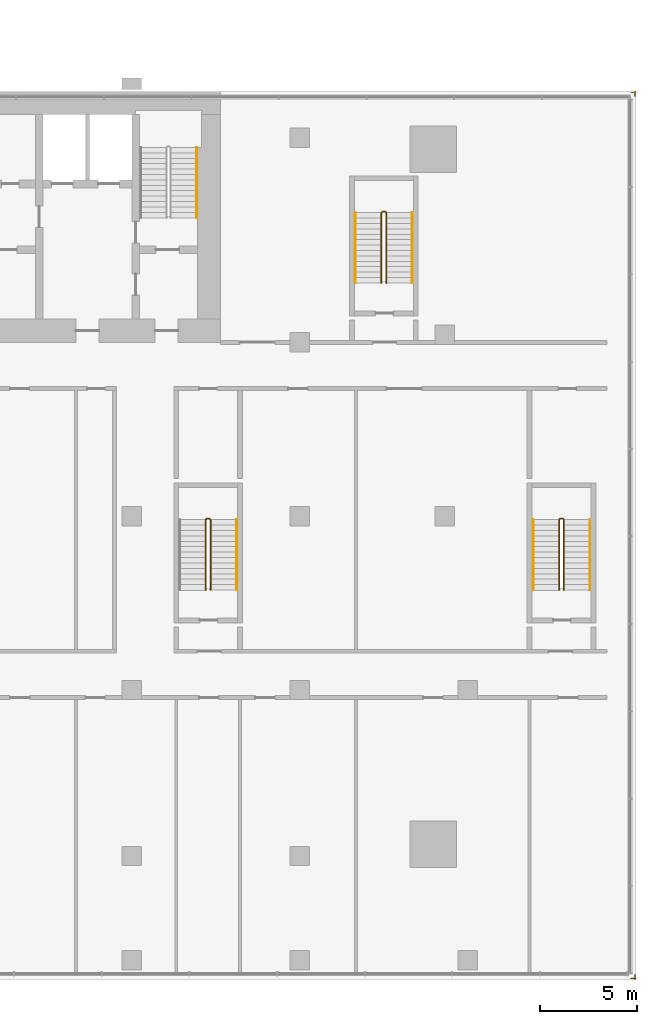
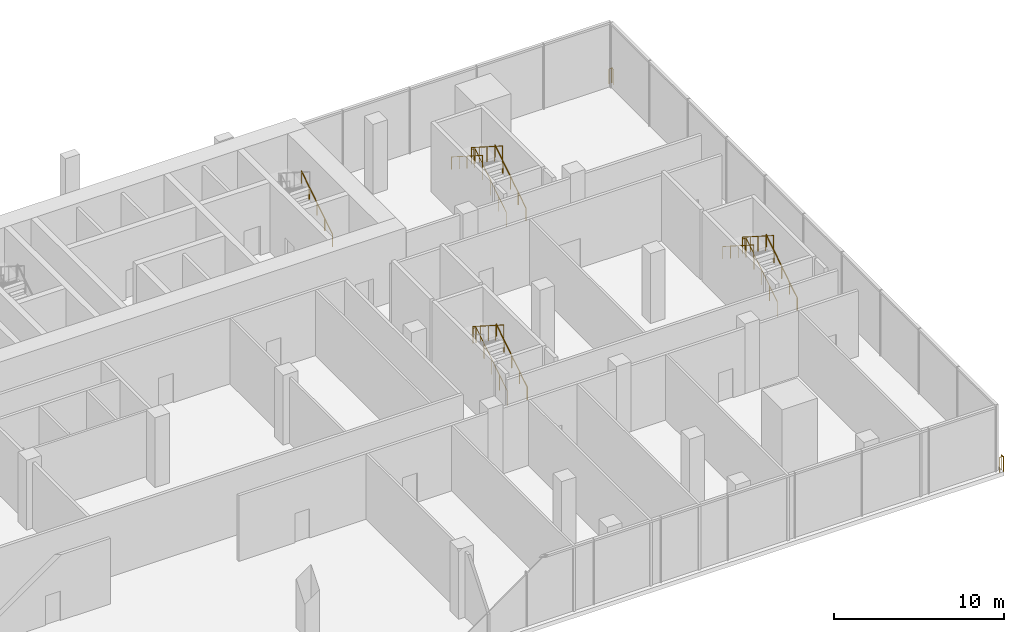
# One storey, part 20 of 20: 11 railings.
"""IFC4 building model written with IfcOpenShell, lengths in metres."""

from ifc_helpers import new_model, si_unit, direction, frame, origin, origin_2d, place, context, subcontext, project, spatial, circle, extrude, material, type_object, element, save


model = new_model("IFC4")

# Units and contexts
model_context = context("Model", 3, precision=1e-05, world=origin(), true_north=direction((0.0, 1.0)))
body_context = subcontext(model_context, "Body", "Model", "MODEL_VIEW")
ifc_project = project(units=[si_unit("LENGTHUNIT", "METRE"), si_unit("AREAUNIT", "SQUARE_METRE"), si_unit("VOLUMEUNIT", "CUBIC_METRE"), si_unit("PLANEANGLEUNIT", "RADIAN"), si_unit("MASSUNIT", "GRAM", prefix="KILO")], contexts=[model_context])

# Site, building, storey
site_placement = place(None, origin())
site = spatial("IfcSite", under=ifc_project, at=site_placement, CompositionType="ELEMENT")
building_placement = place(site_placement, origin())
building = spatial("IfcBuilding", under=site, at=building_placement, Name="Bicima Exchange Tower", CompositionType="ELEMENT")
storey_placement = place(building_placement, frame((0.0, 0.0, 25.0)))
storey = spatial("IfcBuildingStorey", under=building, at=storey_placement, Name="L04", CompositionType="ELEMENT", Elevation=25.0)

# Railings
ifc_material_1 = material(Name="Stainless steel and bonded safety glass", Category="steel")
railing_type_1 = type_object("IfcRailingType", Name="Edge guard 1100", PredefinedType="GUARDRAIL", material=ifc_material_1)
railing_1_placement = place(storey_placement, frame((43.25, -0.050048828125, 0.0)))
element("IfcRailing", 1, at=railing_1_placement, inside=storey, type_object=railing_type_1, Name="Edge guard L04 14", PredefinedType="GUARDRAIL", context=body_context, shape_type="SweptSolid", body=[
    extrude(circle(Radius=0.02392578125, at=origin_2d()), frame((0.0, 0.0, 1.076171875), z_axis=(1.0, 0.0, 0.0), x_axis=(0.0, 1.0, 0.0)), (0.0, 0.0, 1.0), 0.25),
    extrude(circle(Radius=0.02392578125, at=origin_2d()), frame((0.25, 0.0, 1.076171875), z_axis=(-0.707106781187, 0.707106781187, 0.0), x_axis=(-0.707106781187, -0.707106781187, 0.0)), (0.0, 0.0, 1.0), 0.07080078125),
    extrude(circle(Radius=0.02392578125, at=origin_2d()), frame((0.199951171875, 0.050048828125, 1.076171875), z_axis=(0.0, -1.0, 0.0), x_axis=(1.0, 0.0, 0.0)), (0.0, 0.0, 1.0), 0.25),
    extrude(circle(Radius=0.02099609375, at=origin_2d()), origin(), (0.0, 0.0, 1.0), 1.052001953125),
    extrude(circle(Radius=0.02099609375, at=origin_2d()), frame((0.25, 0.0, 0.0)), (0.0, 0.0, 1.0), 1.052001953125),
    extrude(circle(Radius=0.02099609375, at=origin_2d()), frame((0.199951171875, 0.050048828125, 0.0)), (0.0, 0.0, 1.0), 1.052001953125),
    extrude(circle(Radius=0.02099609375, at=origin_2d()), frame((0.199951171875, -0.199951171875, 0.0)), (0.0, 0.0, 1.0), 1.052001953125),
])
railing_2_placement = place(storey_placement, frame((43.449951171875, -45.75, 0.0)))
element("IfcRailing", 2, at=railing_2_placement, inside=storey, type_object=railing_type_1, Name="Edge guard L04 15", PredefinedType="GUARDRAIL", context=body_context, shape_type="SweptSolid", body=[
    extrude(circle(Radius=0.02392578125, at=origin_2d()), frame((0.0, 0.0, 1.076171875), z_axis=(0.0, -1.0, 0.0), x_axis=(1.0, 0.0, 0.0)), (0.0, 0.0, 1.0), 0.25),
    extrude(circle(Radius=0.02392578125, at=origin_2d()), frame((0.0, -0.25, 1.076171875), z_axis=(0.707106781187, 0.707106781187, 0.0), x_axis=(-0.707106781187, 0.707106781187, 0.0)), (0.0, 0.0, 1.0), 0.07080078125),
    extrude(circle(Radius=0.02392578125, at=origin_2d()), frame((0.050048828125, -0.199951171875, 1.076171875), z_axis=(-1.0, 0.0, 0.0), x_axis=(0.0, -1.0, 0.0)), (0.0, 0.0, 1.0), 0.25),
    extrude(circle(Radius=0.02099609375, at=origin_2d()), origin(), (0.0, 0.0, 1.0), 1.052001953125),
    extrude(circle(Radius=0.02099609375, at=origin_2d()), frame((0.0, -0.25, 0.0)), (0.0, 0.0, 1.0), 1.052001953125),
    extrude(circle(Radius=0.02099609375, at=origin_2d()), frame((0.050048828125, -0.199951171875, 0.0)), (0.0, 0.0, 1.0), 1.052001953125),
    extrude(circle(Radius=0.02099609375, at=origin_2d()), frame((-0.199951171875, -0.199951171875, 0.0)), (0.0, 0.0, 1.0), 1.052001953125),
])
ifc_material_2 = material(Name="Stainless steel", Category="steel")
railing_type_2 = type_object("IfcRailingType", Name="Stair guard 1100", PredefinedType="GUARDRAIL", material=ifc_material_2)
railing_3_placement = place(storey_placement, frame((30.574951171875, -9.925048828125, 0.178466796875)))
element("IfcRailing", 3, at=railing_3_placement, inside=storey, type_object=railing_type_2, Name="L04 ST-EE stair guard 1", PredefinedType="GUARDRAIL", context=body_context, shape_type="SweptSolid", body=[
    extrude(circle(Radius=0.02392578125, at=origin_2d()), frame((0.0, 0.0, 1.076171875), z_axis=(0.0, 0.843127859045, 0.537713132908), x_axis=(-1.0, 0.0, 0.0)), (0.0, 0.0, 1.0), 4.3173828125),
    extrude(circle(Radius=0.02392578125, at=origin_2d()), frame((0.0, 3.64013671875, 3.3974609375), z_axis=(-0.708833529934, 0.705375805398, 0.0), x_axis=(-0.705375805398, -0.708833529934, 0.0)), (0.0, 0.0, 1.0), 0.070556640625),
    extrude(circle(Radius=0.02392578125, at=origin_2d()), frame((-0.050048828125, 3.68994140625, 3.3974609375), z_axis=(-1.0, 0.0, 0.0), x_axis=(0.0, -1.0, 0.0)), (0.0, 0.0, 1.0), 0.14990234375),
    extrude(circle(Radius=0.02392578125, at=origin_2d()), frame((-0.199951171875, 3.68994140625, 3.3974609375), z_axis=(-0.26077077684, -0.25949872427, 0.929870428634), x_axis=(0.705375805398, -0.708833529934, 0.0)), (0.0, 0.0, 1.0), 0.19189453125),
    extrude(circle(Radius=0.02392578125, at=origin_2d()), frame((-0.25, 3.64013671875, 3.576171875), z_axis=(0.0, -0.843127859045, 0.537713132908), x_axis=(1.0, 0.0, 0.0)), (0.0, 0.0, 1.0), 4.3173828125),
    extrude(circle(Radius=0.02099609375, at=origin_2d()), origin(), (0.0, 0.0, 1.0), 1.052001953125),
    extrude(circle(Radius=0.02099609375, at=origin_2d()), frame((0.0, 0.91015625, 0.580322265625)), (0.0, 0.0, 1.0), 1.052001953125),
    extrude(circle(Radius=0.02099609375, at=origin_2d()), frame((0.0, 1.820068359375, 1.16064453125)), (0.0, 0.0, 1.0), 1.052001953125),
    extrude(circle(Radius=0.02099609375, at=origin_2d()), frame((0.0, 2.72998046875, 1.7412109375)), (0.0, 0.0, 1.0), 1.052001953125),
    extrude(circle(Radius=0.02099609375, at=origin_2d()), frame((0.0, 3.64013671875, 2.321533203125)), (0.0, 0.0, 1.0), 1.052001953125),
    extrude(circle(Radius=0.02099609375, at=origin_2d()), frame((-0.050048828125, 3.68994140625, 2.321533203125)), (0.0, 0.0, 1.0), 1.052001953125),
    extrude(circle(Radius=0.02099609375, at=origin_2d()), frame((-0.199951171875, 3.68994140625, 2.321533203125)), (0.0, 0.0, 1.0), 1.052001953125),
    extrude(circle(Radius=0.02099609375, at=origin_2d()), frame((-0.25, 3.64013671875, 2.5)), (0.0, 0.0, 1.0), 1.052001953125),
    extrude(circle(Radius=0.02099609375, at=origin_2d()), frame((-0.25, 2.72998046875, 3.080322265625)), (0.0, 0.0, 1.0), 1.052001953125),
    extrude(circle(Radius=0.02099609375, at=origin_2d()), frame((-0.25, 1.820068359375, 3.66064453125)), (0.0, 0.0, 1.0), 1.052001953125),
    extrude(circle(Radius=0.02099609375, at=origin_2d()), frame((-0.25, 0.91015625, 4.2412109375)), (0.0, 0.0, 1.0), 1.052001953125),
    extrude(circle(Radius=0.02099609375, at=origin_2d()), frame((-0.25, 0.0, 4.821533203125)), (0.0, 0.0, 1.0), 1.052001953125),
])
railing_4_placement = place(storey_placement, frame((21.47509765625, -25.824951171875, 0.178466796875)))
element("IfcRailing", 4, at=railing_4_placement, inside=storey, type_object=railing_type_2, Name="L04 PS-EI stair guard 1", PredefinedType="GUARDRAIL", context=body_context, shape_type="SweptSolid", body=[
    extrude(circle(Radius=0.02392578125, at=origin_2d()), frame((0.0, 0.0, 1.076171875), z_axis=(0.0, 0.843111507901, 0.53773877045), x_axis=(-1.0, 0.0, 0.0)), (0.0, 0.0, 1.0), 4.317138671875),
    extrude(circle(Radius=0.02392578125, at=origin_2d()), frame((0.0, 3.639892578125, 3.3974609375), z_axis=(-0.707106781187, 0.707106781187, 0.0), x_axis=(-0.707106781187, -0.707106781187, 0.0)), (0.0, 0.0, 1.0), 0.07080078125),
    extrude(circle(Radius=0.02392578125, at=origin_2d()), frame((-0.050048828125, 3.68994140625, 3.3974609375), z_axis=(-1.0, 0.0, 0.0), x_axis=(0.0, -1.0, 0.0)), (0.0, 0.0, 1.0), 0.150146484375),
    extrude(circle(Radius=0.02392578125, at=origin_2d()), frame((-0.2001953125, 3.68994140625, 3.3974609375), z_axis=(-0.25949872427, -0.26077077684, 0.929870428634), x_axis=(0.708833529934, -0.705375805398, 0.0)), (0.0, 0.0, 1.0), 0.19189453125),
    extrude(circle(Radius=0.02392578125, at=origin_2d()), frame((-0.25, 3.639892578125, 3.576171875), z_axis=(0.0, -0.843111507901, 0.53773877045), x_axis=(1.0, 0.0, 0.0)), (0.0, 0.0, 1.0), 4.317138671875),
    extrude(circle(Radius=0.02099609375, at=origin_2d()), origin(), (0.0, 0.0, 1.0), 1.052001953125),
    extrude(circle(Radius=0.02099609375, at=origin_2d()), frame((0.0, 0.909912109375, 0.580322265625)), (0.0, 0.0, 1.0), 1.052001953125),
    extrude(circle(Radius=0.02099609375, at=origin_2d()), frame((0.0, 1.81982421875, 1.16064453125)), (0.0, 0.0, 1.0), 1.052001953125),
    extrude(circle(Radius=0.02099609375, at=origin_2d()), frame((0.0, 2.72998046875, 1.7412109375)), (0.0, 0.0, 1.0), 1.052001953125),
    extrude(circle(Radius=0.02099609375, at=origin_2d()), frame((0.0, 3.639892578125, 2.321533203125)), (0.0, 0.0, 1.0), 1.052001953125),
    extrude(circle(Radius=0.02099609375, at=origin_2d()), frame((-0.050048828125, 3.68994140625, 2.321533203125)), (0.0, 0.0, 1.0), 1.052001953125),
    extrude(circle(Radius=0.02099609375, at=origin_2d()), frame((-0.2001953125, 3.68994140625, 2.321533203125)), (0.0, 0.0, 1.0), 1.052001953125),
    extrude(circle(Radius=0.02099609375, at=origin_2d()), frame((-0.25, 3.639892578125, 2.5)), (0.0, 0.0, 1.0), 1.052001953125),
    extrude(circle(Radius=0.02099609375, at=origin_2d()), frame((-0.25, 2.72998046875, 3.080322265625)), (0.0, 0.0, 1.0), 1.052001953125),
    extrude(circle(Radius=0.02099609375, at=origin_2d()), frame((-0.25, 1.81982421875, 3.66064453125)), (0.0, 0.0, 1.0), 1.052001953125),
    extrude(circle(Radius=0.02099609375, at=origin_2d()), frame((-0.25, 0.909912109375, 4.2412109375)), (0.0, 0.0, 1.0), 1.052001953125),
    extrude(circle(Radius=0.02099609375, at=origin_2d()), frame((-0.25, 0.0, 4.821533203125)), (0.0, 0.0, 1.0), 1.052001953125),
])
railing_5_placement = place(storey_placement, frame((39.77490234375, -25.824951171875, 0.178466796875)))
element("IfcRailing", 5, at=railing_5_placement, inside=storey, type_object=railing_type_2, Name="L04 PS-E stair guard 1", PredefinedType="GUARDRAIL", context=body_context, shape_type="SweptSolid", body=[
    extrude(circle(Radius=0.02392578125, at=origin_2d()), frame((0.0, 0.0, 1.076171875), z_axis=(0.0, 0.843111507901, 0.53773877045), x_axis=(-1.0, 0.0, 0.0)), (0.0, 0.0, 1.0), 4.317138671875),
    extrude(circle(Radius=0.02392578125, at=origin_2d()), frame((0.0, 3.639892578125, 3.3974609375), z_axis=(-0.705375805398, 0.708833529934, 0.0), x_axis=(-0.708833529934, -0.705375805398, 0.0)), (0.0, 0.0, 1.0), 0.070556640625),
    extrude(circle(Radius=0.02392578125, at=origin_2d()), frame((-0.0498046875, 3.68994140625, 3.3974609375), z_axis=(-1.0, 0.0, 0.0), x_axis=(0.0, -1.0, 0.0)), (0.0, 0.0, 1.0), 0.150146484375),
    extrude(circle(Radius=0.02392578125, at=origin_2d()), frame((-0.199951171875, 3.68994140625, 3.3974609375), z_axis=(-0.260684529273, -0.260684529273, 0.929562882432), x_axis=(0.707106781187, -0.707106781187, 0.0)), (0.0, 0.0, 1.0), 0.19189453125),
    extrude(circle(Radius=0.02392578125, at=origin_2d()), frame((-0.25, 3.639892578125, 3.576171875), z_axis=(0.0, -0.843111507901, 0.53773877045), x_axis=(1.0, 0.0, 0.0)), (0.0, 0.0, 1.0), 4.317138671875),
    extrude(circle(Radius=0.02099609375, at=origin_2d()), origin(), (0.0, 0.0, 1.0), 1.052001953125),
    extrude(circle(Radius=0.02099609375, at=origin_2d()), frame((0.0, 0.909912109375, 0.580322265625)), (0.0, 0.0, 1.0), 1.052001953125),
    extrude(circle(Radius=0.02099609375, at=origin_2d()), frame((0.0, 1.81982421875, 1.16064453125)), (0.0, 0.0, 1.0), 1.052001953125),
    extrude(circle(Radius=0.02099609375, at=origin_2d()), frame((0.0, 2.72998046875, 1.7412109375)), (0.0, 0.0, 1.0), 1.052001953125),
    extrude(circle(Radius=0.02099609375, at=origin_2d()), frame((0.0, 3.639892578125, 2.321533203125)), (0.0, 0.0, 1.0), 1.052001953125),
    extrude(circle(Radius=0.02099609375, at=origin_2d()), frame((-0.0498046875, 3.68994140625, 2.321533203125)), (0.0, 0.0, 1.0), 1.052001953125),
    extrude(circle(Radius=0.02099609375, at=origin_2d()), frame((-0.199951171875, 3.68994140625, 2.321533203125)), (0.0, 0.0, 1.0), 1.052001953125),
    extrude(circle(Radius=0.02099609375, at=origin_2d()), frame((-0.25, 3.639892578125, 2.5)), (0.0, 0.0, 1.0), 1.052001953125),
    extrude(circle(Radius=0.02099609375, at=origin_2d()), frame((-0.25, 2.72998046875, 3.080322265625)), (0.0, 0.0, 1.0), 1.052001953125),
    extrude(circle(Radius=0.02099609375, at=origin_2d()), frame((-0.25, 1.81982421875, 3.66064453125)), (0.0, 0.0, 1.0), 1.052001953125),
    extrude(circle(Radius=0.02099609375, at=origin_2d()), frame((-0.25, 0.909912109375, 4.2412109375)), (0.0, 0.0, 1.0), 1.052001953125),
    extrude(circle(Radius=0.02099609375, at=origin_2d()), frame((-0.25, 0.0, 4.821533203125)), (0.0, 0.0, 1.0), 1.052001953125),
])
railing_type_3 = type_object("IfcRailingType", Name="Stair handrail 900", PredefinedType="HANDRAIL", material=ifc_material_2)
for number, where, name in (
    (6, (20.75, -6.550048828125, 0.178466796875), "L04 ST-E stair handrail 1"),
    (7, (31.925048828125, -9.925048828125, 0.178466796875), "L04 ST-EE stair handrail 1"),
):
    element("IfcRailing", number, at=place(storey_placement, frame(where)), inside=storey, type_object=railing_type_3, Name=name, PredefinedType="HANDRAIL", context=body_context, shape_type="SweptSolid", body=[
        extrude(circle(Radius=0.02392578125, at=origin_2d()), frame((0.0, 0.0, 0.8759765625), z_axis=(0.0, 0.843127859045, 0.537713132908), x_axis=(-1.0, 0.0, 0.0)), (0.0, 0.0, 1.0), 4.3173828125),
        extrude(circle(Radius=0.02099609375, at=origin_2d()), origin(), (0.0, 0.0, 1.0), 0.851806640625),
        extrude(circle(Radius=0.02099609375, at=origin_2d()), frame((0.0, 0.91015625, 0.580322265625)), (0.0, 0.0, 1.0), 0.851806640625),
        extrude(circle(Radius=0.02099609375, at=origin_2d()), frame((0.0, 1.820068359375, 1.16064453125)), (0.0, 0.0, 1.0), 0.851806640625),
        extrude(circle(Radius=0.02099609375, at=origin_2d()), frame((0.0, 2.72998046875, 1.7412109375)), (0.0, 0.0, 1.0), 0.851806640625),
        extrude(circle(Radius=0.02099609375, at=origin_2d()), frame((0.0, 3.64013671875, 2.321533203125)), (0.0, 0.0, 1.0), 0.851806640625),
    ])
railing_6_placement = place(storey_placement, frame((28.97509765625, -6.284912109375, 2.678466796875)))
element("IfcRailing", 8, at=railing_6_placement, inside=storey, type_object=railing_type_3, Name="L04 ST-EE stair handrail 2", PredefinedType="HANDRAIL", context=body_context, shape_type="SweptSolid", body=[
    extrude(circle(Radius=0.02392578125, at=origin_2d()), frame((0.0, 0.0, 0.8759765625), z_axis=(0.0, -0.843127859045, 0.537713132908), x_axis=(1.0, 0.0, 0.0)), (0.0, 0.0, 1.0), 4.3173828125),
    extrude(circle(Radius=0.02099609375, at=origin_2d()), origin(), (0.0, 0.0, 1.0), 0.851806640625),
    extrude(circle(Radius=0.02099609375, at=origin_2d()), frame((0.0, -0.91015625, 0.580322265625)), (0.0, 0.0, 1.0), 0.851806640625),
    extrude(circle(Radius=0.02099609375, at=origin_2d()), frame((0.0, -1.820068359375, 1.16064453125)), (0.0, 0.0, 1.0), 0.851806640625),
    extrude(circle(Radius=0.02099609375, at=origin_2d()), frame((0.0, -2.72998046875, 1.7412109375)), (0.0, 0.0, 1.0), 0.851806640625),
    extrude(circle(Radius=0.02099609375, at=origin_2d()), frame((0.0, -3.64013671875, 2.321533203125)), (0.0, 0.0, 1.0), 0.851806640625),
])
for number, where, name in (
    (9, (22.824951171875, -25.824951171875, 0.178466796875), "L04 PS-EI stair handrail 1"),
    (10, (41.125, -25.824951171875, 0.178466796875), "L04 PS-E stair handrail 1"),
):
    element("IfcRailing", number, at=place(storey_placement, frame(where)), inside=storey, type_object=railing_type_3, Name=name, PredefinedType="HANDRAIL", context=body_context, shape_type="SweptSolid", body=[
        extrude(circle(Radius=0.02392578125, at=origin_2d()), frame((0.0, 0.0, 0.8759765625), z_axis=(0.0, 0.843111507901, 0.53773877045), x_axis=(-1.0, 0.0, 0.0)), (0.0, 0.0, 1.0), 4.317138671875),
        extrude(circle(Radius=0.02099609375, at=origin_2d()), origin(), (0.0, 0.0, 1.0), 0.851806640625),
        extrude(circle(Radius=0.02099609375, at=origin_2d()), frame((0.0, 0.909912109375, 0.580322265625)), (0.0, 0.0, 1.0), 0.851806640625),
        extrude(circle(Radius=0.02099609375, at=origin_2d()), frame((0.0, 1.81982421875, 1.16064453125)), (0.0, 0.0, 1.0), 0.851806640625),
        extrude(circle(Radius=0.02099609375, at=origin_2d()), frame((0.0, 2.72998046875, 1.7412109375)), (0.0, 0.0, 1.0), 0.851806640625),
        extrude(circle(Radius=0.02099609375, at=origin_2d()), frame((0.0, 3.639892578125, 2.321533203125)), (0.0, 0.0, 1.0), 0.851806640625),
    ])
railing_7_placement = place(storey_placement, frame((38.175048828125, -22.18505859375, 2.678466796875)))
element("IfcRailing", 11, at=railing_7_placement, inside=storey, type_object=railing_type_3, Name="L04 PS-E stair handrail 2", PredefinedType="HANDRAIL", context=body_context, shape_type="SweptSolid", body=[
    extrude(circle(Radius=0.02392578125, at=origin_2d()), frame((0.0, 0.0, 0.8759765625), z_axis=(0.0, -0.843111507901, 0.53773877045), x_axis=(1.0, 0.0, 0.0)), (0.0, 0.0, 1.0), 4.317138671875),
    extrude(circle(Radius=0.02099609375, at=origin_2d()), origin(), (0.0, 0.0, 1.0), 0.851806640625),
    extrude(circle(Radius=0.02099609375, at=origin_2d()), frame((0.0, -0.909912109375, 0.580322265625)), (0.0, 0.0, 1.0), 0.851806640625),
    extrude(circle(Radius=0.02099609375, at=origin_2d()), frame((0.0, -1.81982421875, 1.16064453125)), (0.0, 0.0, 1.0), 0.851806640625),
    extrude(circle(Radius=0.02099609375, at=origin_2d()), frame((0.0, -2.72998046875, 1.7412109375)), (0.0, 0.0, 1.0), 0.851806640625),
    extrude(circle(Radius=0.02099609375, at=origin_2d()), frame((0.0, -3.639892578125, 2.321533203125)), (0.0, 0.0, 1.0), 0.851806640625),
])

save(model, "model.ifc")
